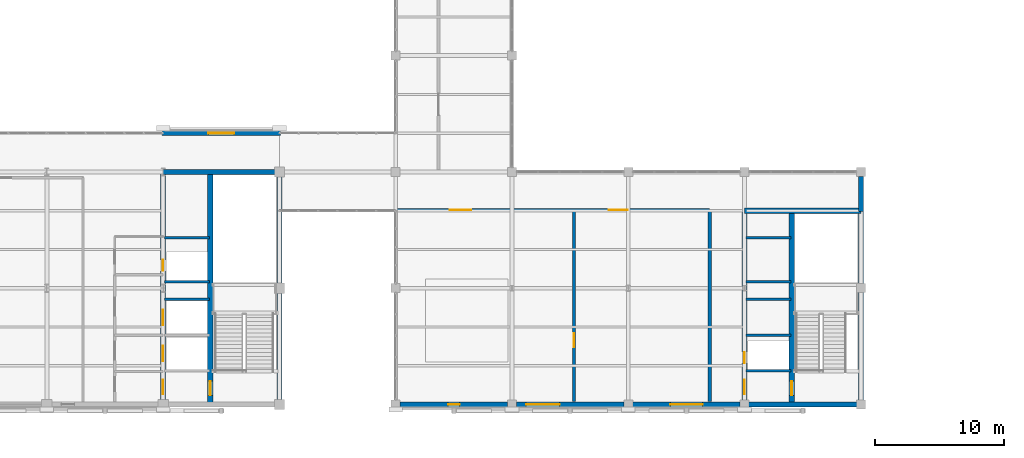
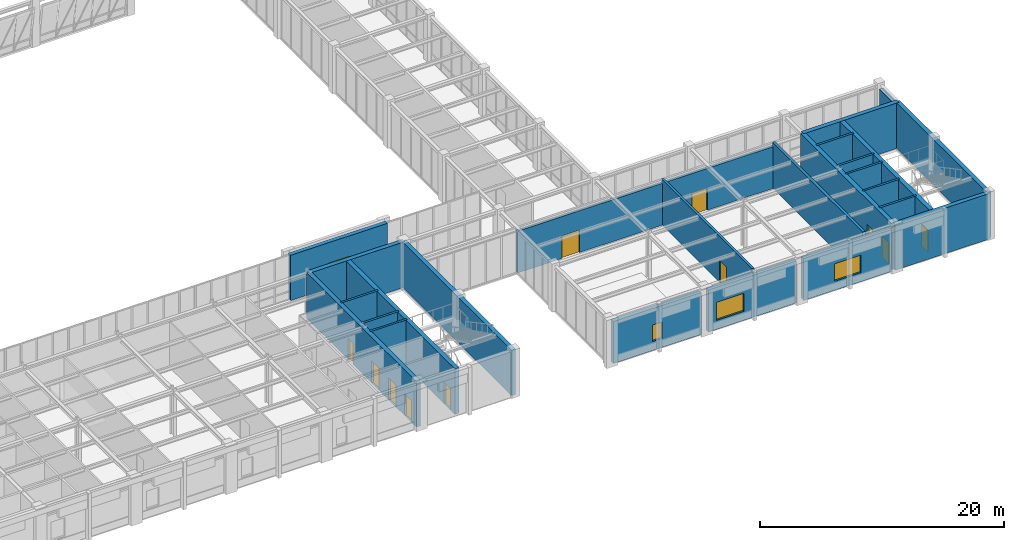
# One storey, part 82 of 92: 25 walls, 11 doors, 4 windows, 15 openings.
"""IFC4 building model written with IfcOpenShell, lengths in metres."""

from ifc_helpers import new_model, si_unit, direction, frame, frame_2d, origin, place, context, subcontext, project, spatial, rectangle, extrude, material, layer, layer_set, type_object, element, fill, save


model = new_model("IFC4")

# Units and contexts
model_context = context("Model", 3, precision=1e-05, world=origin(), true_north=direction((0.0, 1.0)))
body_context = subcontext(model_context, "Body", "Model", "MODEL_VIEW")
ifc_project = project(units=[si_unit("LENGTHUNIT", "METRE"), si_unit("AREAUNIT", "SQUARE_METRE"), si_unit("VOLUMEUNIT", "CUBIC_METRE"), si_unit("PLANEANGLEUNIT", "RADIAN"), si_unit("MASSUNIT", "GRAM", prefix="KILO")], contexts=[model_context])

# Site, building, storey
site_placement = place(None, origin())
site = spatial("IfcSite", under=ifc_project, at=site_placement, CompositionType="ELEMENT")
building_placement = place(site_placement, origin())
building = spatial("IfcBuilding", under=site, at=building_placement, Name="Lykobir Media Centre", CompositionType="ELEMENT")
storey_placement = place(building_placement, frame((0.0, 0.0, 5.39990234375)))
storey = spatial("IfcBuildingStorey", under=building, at=storey_placement, Name="L01", CompositionType="ELEMENT", Elevation=5.39990234375)

# Wall, opening, window
ifc_material_1 = material(Name="Honed Travertine Stone", Category="masonry")
ifc_layer_1 = layer(ifc_material_1, 0.389892578125, Name="Honed Travertine Stone")
ifc_layer_set_1 = layer_set([ifc_layer_1], Name="Honed Travertine Stone")
wall_type_1 = type_object("IfcWallType", Name="EW-TRAV-390", PredefinedType="STANDARD", material=ifc_layer_set_1)
wall_1_placement = place(storey_placement, frame((90.3349609375, 0.0, 0.0), z_axis=(0.0, 0.0, 1.0), x_axis=(1.0, 0.0, 0.0)))
wall_1 = element("IfcWall", 1, at=wall_1_placement, inside=storey, type_object=wall_type_1, Name="Exterior wall WALL-L01-0133", PredefinedType="STANDARD", context=body_context, shape_type="SweptSolid", body=[
    extrude(rectangle(XDim=8.330078125, YDim=0.389892578125, at=frame_2d((4.1650390625, 0.0))), origin(), (0.0, 0.0, 1.0), 4.195068359375),
])
opening_1_placement = place(wall_1_placement, frame((3.715087890625, 0.0, 0.89990234375)))
opening_1 = element("IfcOpeningElement", 2, at=opening_1_placement, cuts=wall_1, Name="Opening WN-0900x1650", PredefinedType="OPENING", context=body_context, shape_type="SweptSolid", body=[
    extrude(rectangle(XDim=0.89990234375, YDim=1.64990234375, at=frame_2d((0.449951171875, 0.824951171875))), frame((0.0, 0.204833984375, 0.0), z_axis=(0.0, -1.0, 0.0), x_axis=(1.0, 0.0, 0.0)), (0.0, 0.0, 1.0), 0.409912109375),
])
ifc_material_2 = material(Name="Low-E Laminated Triple Glazing", Category="glass")
window_type_1 = type_object("IfcWindowType", Name="WN-0900x1650", PartitioningType="SINGLE_PANEL", PredefinedType="WINDOW", material=ifc_material_2)
window_1_placement = place(opening_1_placement, origin())
window_1 = element("IfcWindow", 3, at=window_1_placement, inside=storey, type_object=window_type_1, Name="Window WIN-L01-0032", OverallHeight=1.64990234375, OverallWidth=0.89990234375, PartitioningType="SINGLE_PANEL", PredefinedType="WINDOW", context=body_context, shape_type="SweptSolid", body=[
    extrude(rectangle(XDim=0.89990234375, YDim=1.64990234375, at=frame_2d((0.449951171875, 0.824951171875))), frame((0.0, 0.030029296875, 0.0), z_axis=(0.0, -1.0, 0.0), x_axis=(1.0, 0.0, 0.0)), (0.0, 0.0, 1.0), 0.06005859375),
])
fill(opening_1, window_1)

wall_2_placement = place(storey_placement, frame((99.3349609375, 0.0, 0.0), z_axis=(0.0, 0.0, 1.0), x_axis=(1.0, 0.0, 0.0)))
wall_2 = element("IfcWall", 4, at=wall_2_placement, inside=storey, type_object=wall_type_1, Name="Exterior wall WALL-L01-0134", PredefinedType="STANDARD", context=body_context, shape_type="SweptSolid", body=[
    extrude(rectangle(XDim=8.330078125, YDim=0.389892578125, at=frame_2d((4.1650390625, 0.0))), origin(), (0.0, 0.0, 1.0), 4.195068359375),
])
opening_2_placement = place(wall_2_placement, frame((0.75, 0.0, 0.89990234375)))
opening_2 = element("IfcOpeningElement", 5, at=opening_2_placement, cuts=wall_2, Name="Opening WN-2600x1800", PredefinedType="OPENING", context=body_context, shape_type="SweptSolid", body=[
    extrude(rectangle(XDim=2.60009765625, YDim=1.800048828125, at=frame_2d((1.300048828125, 0.89990234375))), frame((0.0, 0.204833984375, 0.0), z_axis=(0.0, -1.0, 0.0), x_axis=(1.0, 0.0, 0.0)), (0.0, 0.0, 1.0), 0.409912109375),
])
window_type_2 = type_object("IfcWindowType", Name="WN-2600x1800", PartitioningType="SINGLE_PANEL", PredefinedType="WINDOW", material=ifc_material_2)
window_2_placement = place(opening_2_placement, origin())
window_2 = element("IfcWindow", 6, at=window_2_placement, inside=storey, type_object=window_type_2, Name="Window WIN-L01-0033", OverallHeight=1.800048828125, OverallWidth=2.60009765625, PartitioningType="SINGLE_PANEL", PredefinedType="WINDOW", context=body_context, shape_type="SweptSolid", body=[
    extrude(rectangle(XDim=2.60009765625, YDim=1.800048828125, at=frame_2d((1.300048828125, 0.89990234375))), frame((0.0, 0.030029296875, 0.0), z_axis=(0.0, -1.0, 0.0), x_axis=(1.0, 0.0, 0.0)), (0.0, 0.0, 1.0), 0.06005859375),
])
fill(opening_2, window_2)

wall_3_placement = place(storey_placement, frame((108.3349609375, 0.0, 0.0), z_axis=(0.0, 0.0, 1.0), x_axis=(1.0, 0.0, 0.0)))
wall_3 = element("IfcWall", 7, at=wall_3_placement, inside=storey, type_object=wall_type_1, Name="Exterior wall WALL-L01-0135", PredefinedType="STANDARD", context=body_context, shape_type="SweptSolid", body=[
    extrude(rectangle(XDim=8.330078125, YDim=0.389892578125, at=frame_2d((4.1650390625, 0.0))), origin(), (0.0, 0.0, 1.0), 4.195068359375),
])
opening_3_placement = place(wall_3_placement, frame((2.9150390625, 0.0, 0.89990234375)))
opening_3 = element("IfcOpeningElement", 8, at=opening_3_placement, cuts=wall_3, Name="Opening WN-2500x1750", PredefinedType="OPENING", context=body_context, shape_type="SweptSolid", body=[
    extrude(rectangle(XDim=2.5, YDim=1.75, at=frame_2d((1.25, 0.875))), frame((0.0, 0.204833984375, 0.0), z_axis=(0.0, -1.0, 0.0), x_axis=(1.0, 0.0, 0.0)), (0.0, 0.0, 1.0), 0.409912109375),
])
window_type_3 = type_object("IfcWindowType", Name="WN-2500x1750", PartitioningType="SINGLE_PANEL", PredefinedType="WINDOW", material=ifc_material_2)
window_3_placement = place(opening_3_placement, origin())
window_3 = element("IfcWindow", 9, at=window_3_placement, inside=storey, type_object=window_type_3, Name="Window WIN-L01-0034", OverallHeight=1.75, OverallWidth=2.5, PartitioningType="SINGLE_PANEL", PredefinedType="WINDOW", context=body_context, shape_type="SweptSolid", body=[
    extrude(rectangle(XDim=2.5, YDim=1.75, at=frame_2d((1.25, 0.875))), frame((0.0, 0.030029296875, 0.0), z_axis=(0.0, -1.0, 0.0), x_axis=(1.0, 0.0, 0.0)), (0.0, 0.0, 1.0), 0.06005859375),
])
fill(opening_3, window_3)

# Wall
wall_4_placement = place(storey_placement, frame((126.0, 14.925048828125, 0.0), z_axis=(0.0, 0.0, 1.0), x_axis=(0.0, 1.0, 0.0)))
element("IfcWall", 10, at=wall_4_placement, inside=storey, type_object=wall_type_1, Name="Exterior wall WALL-L01-0136", PredefinedType="STANDARD", context=body_context, shape_type="SweptSolid", body=[
    extrude(rectangle(XDim=2.739990234375, YDim=0.389892578125, at=frame_2d((1.3701171875, 0.0))), origin(), (0.0, 0.0, 1.0), 4.195068359375),
])

# Wall, opening, window
wall_5_placement = place(storey_placement, frame((81.074951171875, 21.0, 0.0), z_axis=(0.0, 0.0, 1.0), x_axis=(-1.0, 0.0, 0.0)))
wall_5 = element("IfcWall", 11, at=wall_5_placement, inside=storey, type_object=wall_type_1, Name="Exterior wall WALL-L01-0138", PredefinedType="STANDARD", context=body_context, shape_type="SweptSolid", body=[
    extrude(rectangle(XDim=9.14990234375, YDim=0.389892578125, at=frame_2d((4.574951171875, 0.0))), origin(), (0.0, 0.0, 1.0), 4.5400390625),
])
opening_4_placement = place(wall_5_placement, frame((3.574951171875, 0.0, 0.89990234375)))
opening_4 = element("IfcOpeningElement", 12, at=opening_4_placement, cuts=wall_5, Name="Opening WN-2000x1600", PredefinedType="OPENING", context=body_context, shape_type="SweptSolid", body=[
    extrude(rectangle(XDim=2.0, YDim=1.60009765625, at=frame_2d((1.0, 0.800048828125))), frame((0.0, 0.204833984375, 0.0), z_axis=(0.0, -1.0, 0.0), x_axis=(1.0, 0.0, 0.0)), (0.0, 0.0, 1.0), 0.409912109375),
])
window_type_4 = type_object("IfcWindowType", Name="WN-2000x1600", PartitioningType="SINGLE_PANEL", PredefinedType="WINDOW", material=ifc_material_2)
window_4_placement = place(opening_4_placement, origin())
window_4 = element("IfcWindow", 13, at=window_4_placement, inside=storey, type_object=window_type_4, Name="Window WIN-L01-0036", OverallHeight=1.60009765625, OverallWidth=2.0, PartitioningType="SINGLE_PANEL", PredefinedType="WINDOW", context=body_context, shape_type="SweptSolid", body=[
    extrude(rectangle(XDim=2.0, YDim=1.60009765625, at=frame_2d((1.0, 0.800048828125))), frame((0.0, 0.030029296875, 0.0), z_axis=(0.0, -1.0, 0.0), x_axis=(1.0, 0.0, 0.0)), (0.0, 0.0, 1.0), 0.06005859375),
])
fill(opening_4, window_4)

# Walls
ifc_material_3 = material(Name="Concrete C30/37", Category="concrete")
ifc_layer_2 = layer(ifc_material_3, 0.199951171875, Name="Concrete C30/37")
ifc_layer_set_2 = layer_set([ifc_layer_2], Name="Concrete C30/37")
wall_type_2 = type_object("IfcWallType", Name="IW-SHAFT-200", PredefinedType="PARTITIONING", material=ifc_layer_set_2)
for number, where, z_axis, x_axis, name in (
    (14, (72.10009765625, 8.14990234375, 0.0), (0.0, 0.0, 1.0), (1.0, 0.0, 0.0), "Wall IWALL-L01-0222"),
    (15, (72.10009765625, 9.5, 0.0), (0.0, 0.0, 1.0), (1.0, 0.0, 0.0), "Wall IWALL-L01-0223"),
    (16, (72.10009765625, 12.89990234375, 0.0), (0.0, 0.0, 1.0), (1.0, 0.0, 0.0), "Wall IWALL-L01-0224"),
    (17, (117.10009765625, 2.60009765625, 0.0), (0.0, 0.0, 1.0), (1.0, 0.0, 0.0), "Wall IWALL-L01-0599"),
    (18, (117.10009765625, 5.35009765625, 0.0), (0.0, 0.0, 1.0), (1.0, 0.0, 0.0), "Wall IWALL-L01-0600"),
    (19, (117.10009765625, 8.14990234375, 0.0), (0.0, 0.0, 1.0), (1.0, 0.0, 0.0), "Wall IWALL-L01-0601"),
    (20, (117.10009765625, 9.5, 0.0), (0.0, 0.0, 1.0), (1.0, 0.0, 0.0), "Wall IWALL-L01-0602"),
    (21, (117.10009765625, 12.89990234375, 0.0), (0.0, 0.0, 1.0), (1.0, 0.0, 0.0), "Wall IWALL-L01-0603"),
):
    element("IfcWall", number, at=place(storey_placement, frame(where, z_axis=z_axis, x_axis=x_axis)), inside=storey, type_object=wall_type_2, Name=name, PredefinedType="PARTITIONING", context=body_context, shape_type="SweptSolid", body=[
        extrude(rectangle(XDim=3.5, YDim=0.199951171875, at=frame_2d((1.75, 0.0))), origin(), (0.0, 0.0, 1.0), 4.56005859375),
    ])

# Wall, opening, door
ifc_material_4 = material(Name="Acoustic Gypsum Board", Category="gypsum")
ifc_layer_3 = layer(ifc_material_4, 0.219970703125, Name="Acoustic Gypsum Board")
ifc_layer_set_3 = layer_set([ifc_layer_3], Name="Acoustic Gypsum Board")
wall_type_3 = type_object("IfcWallType", Name="IW-STU-220", PredefinedType="PARTITIONING", material=ifc_layer_set_3)
wall_6_placement = place(storey_placement, frame((103.800048828125, 0.219970703125, 0.0), z_axis=(0.0, 0.0, 1.0), x_axis=(0.0, 1.0, 0.0)))
wall_6 = element("IfcWall", 22, at=wall_6_placement, inside=storey, type_object=wall_type_3, Name="Wall IWALL-L01-0693", PredefinedType="PARTITIONING", context=body_context, shape_type="SweptSolid", body=[
    extrude(rectangle(XDim=14.830078125, YDim=0.219970703125, at=frame_2d((7.4150390625, 0.0))), origin(), (0.0, 0.0, 1.0), 4.56005859375),
])
opening_5_placement = place(wall_6_placement, frame((4.199951171875, 0.0, 0.0)))
opening_5 = element("IfcOpeningElement", 23, at=opening_5_placement, cuts=wall_6, Name="Opening D-L01-RADS", PredefinedType="OPENING", context=body_context, shape_type="SweptSolid", body=[
    extrude(rectangle(XDim=1.10009765625, YDim=2.159912109375, at=frame_2d((0.550048828125, 1.080078125))), frame((0.0, 0.119873046875, 0.0), z_axis=(0.0, -1.0, 0.0), x_axis=(1.0, 0.0, 0.0)), (0.0, 0.0, 1.0), 0.239990234375),
])
ifc_material_5 = material(Name="Acoustic Timber Panelling", Category="wood")
door_type_1 = type_object("IfcDoorType", Name="FD-1100x2160", OperationType="NOTDEFINED", PredefinedType="DOOR", material=ifc_material_5)
door_1_placement = place(opening_5_placement, origin())
door_1 = element("IfcDoor", 24, at=door_1_placement, inside=storey, type_object=door_type_1, Name="Door D-L01-RADS", OperationType="SINGLE_SWING_LEFT", OverallHeight=2.159912109375, OverallWidth=1.10009765625, PredefinedType="DOOR", context=body_context, shape_type="SweptSolid", body=[
    extrude(rectangle(XDim=1.10009765625, YDim=2.159912109375, at=frame_2d((0.550048828125, 1.080078125))), frame((0.0, 0.02490234375, 0.0), z_axis=(0.0, -1.0, 0.0), x_axis=(1.0, 0.0, 0.0)), (0.0, 0.0, 1.0), 0.050048828125),
])
fill(opening_5, door_1)

# Wall, openings, doors
ifc_layer_4 = layer(ifc_material_4, 0.260009765625, Name="Acoustic Gypsum Board")
ifc_layer_set_4 = layer_set([ifc_layer_4], Name="Acoustic Gypsum Board")
wall_type_4 = type_object("IfcWallType", Name="IW-STU-260", PredefinedType="PARTITIONING", material=ifc_layer_set_4)
wall_7_placement = place(storey_placement, frame((90.0, 15.050048828125, 0.0), z_axis=(0.0, 0.0, 1.0), x_axis=(1.0, 0.0, 0.0)))
wall_7 = element("IfcWall", 25, at=wall_7_placement, inside=storey, type_object=wall_type_4, Name="Wall IWALL-L01-0690", PredefinedType="PARTITIONING", context=body_context, shape_type="SweptSolid", body=[
    extrude(rectangle(XDim=24.300048828125, YDim=0.260009765625, at=frame_2d((12.14990234375, 0.0))), origin(), (0.0, 0.0, 1.0), 4.18505859375),
])
opening_6_placement = place(wall_7_placement, frame((4.199951171875, 0.0, 0.0)))
opening_6 = element("IfcOpeningElement", 26, at=opening_6_placement, cuts=wall_7, Name="Opening D-L01-ES1", PredefinedType="OPENING", context=body_context, shape_type="SweptSolid", body=[
    extrude(rectangle(XDim=1.64990234375, YDim=2.25, at=frame_2d((0.824951171875, 1.125))), frame((0.0, 0.139892578125, 0.0), z_axis=(0.0, -1.0, 0.0), x_axis=(1.0, 0.0, 0.0)), (0.0, 0.0, 1.0), 0.280029296875),
])
opening_7_placement = place(wall_7_placement, frame((16.5, 0.0, 0.0)))
opening_7 = element("IfcOpeningElement", 27, at=opening_7_placement, cuts=wall_7, Name="Opening D-L01-ES2", PredefinedType="OPENING", context=body_context, shape_type="SweptSolid", body=[
    extrude(rectangle(XDim=1.449951171875, YDim=2.219970703125, at=frame_2d((0.72509765625, 1.10986328125))), frame((0.0, 0.139892578125, 0.0), z_axis=(0.0, -1.0, 0.0), x_axis=(1.0, 0.0, 0.0)), (0.0, 0.0, 1.0), 0.280029296875),
])
door_type_2 = type_object("IfcDoorType", Name="FD-1450x2220", OperationType="NOTDEFINED", PredefinedType="DOOR", material=ifc_material_5)
door_2_placement = place(opening_7_placement, origin())
door_2 = element("IfcDoor", 28, at=door_2_placement, inside=storey, type_object=door_type_2, Name="Door D-L01-ES2", OperationType="DOUBLE_DOOR_SINGLE_SWING", OverallHeight=2.219970703125, OverallWidth=1.449951171875, PredefinedType="DOOR", context=body_context, shape_type="SweptSolid", body=[
    extrude(rectangle(XDim=1.449951171875, YDim=2.219970703125, at=frame_2d((0.72509765625, 1.10986328125))), frame((0.0, 0.02490234375, 0.0), z_axis=(0.0, -1.0, 0.0), x_axis=(1.0, 0.0, 0.0)), (0.0, 0.0, 1.0), 0.050048828125),
])
fill(opening_7, door_2)
door_type_3 = type_object("IfcDoorType", Name="FD-1650x2250", OperationType="NOTDEFINED", PredefinedType="DOOR", material=ifc_material_5)
door_3_placement = place(opening_6_placement, origin())
door_3 = element("IfcDoor", 29, at=door_3_placement, inside=storey, type_object=door_type_3, Name="Door D-L01-ES1", OperationType="DOUBLE_DOOR_SINGLE_SWING", OverallHeight=2.25, OverallWidth=1.64990234375, PredefinedType="DOOR", context=body_context, shape_type="SweptSolid", body=[
    extrude(rectangle(XDim=1.64990234375, YDim=2.25, at=frame_2d((0.824951171875, 1.125))), frame((0.0, 0.02490234375, 0.0), z_axis=(0.0, -1.0, 0.0), x_axis=(1.0, 0.0, 0.0)), (0.0, 0.0, 1.0), 0.050048828125),
])
fill(opening_6, door_3)

# Wall
wall_8_placement = place(storey_placement, frame((114.300048828125, 0.219970703125, 0.0), z_axis=(0.0, 0.0, 1.0), x_axis=(0.0, 1.0, 0.0)))
element("IfcWall", 30, at=wall_8_placement, inside=storey, type_object=wall_type_4, Name="Wall IWALL-L01-0691", PredefinedType="PARTITIONING", context=body_context, shape_type="SweptSolid", body=[
    extrude(rectangle(XDim=14.830078125, YDim=0.260009765625, at=frame_2d((7.4150390625, 0.0))), origin(), (0.0, 0.0, 1.0), 4.56005859375),
])

# Wall, openings, doors
ifc_material_6 = material(Name="Concrete C40/50", Category="concrete")
ifc_layer_5 = layer(ifc_material_6, 0.39990234375, Name="Concrete C40/50")
ifc_layer_set_5 = layer_set([ifc_layer_5], Name="Concrete C40/50")
wall_type_5 = type_object("IfcWallType", Name="SW-CORE-400", PredefinedType="SHEAR", material=ifc_layer_set_5)
wall_9_placement = place(storey_placement, frame((72.0, 18.0, 0.0), z_axis=(0.0, 0.0, 1.0), x_axis=(0.0, -1.0, 0.0)))
wall_9 = element("IfcWall", 31, at=wall_9_placement, inside=storey, type_object=wall_type_5, Name="Wall IWALL-L01-0218", PredefinedType="SHEAR", context=body_context, shape_type="SweptSolid", body=[
    extrude(rectangle(XDim=18.0, YDim=0.39990234375, at=frame_2d((9.0, 0.0))), origin(), (0.0, 0.0, 1.0), 4.56005859375),
])
opening_8_placement = place(wall_9_placement, frame((16.10009765625, 0.0, 0.0)))
opening_8 = element("IfcOpeningElement", 32, at=opening_8_placement, cuts=wall_9, Name="Opening D-L01-C2VB", PredefinedType="OPENING", context=body_context, shape_type="SweptSolid", body=[
    extrude(rectangle(XDim=1.10009765625, YDim=2.159912109375, at=frame_2d((0.550048828125, 1.080078125))), frame((0.0, 0.2099609375, 0.0), z_axis=(0.0, -1.0, 0.0), x_axis=(1.0, 0.0, 0.0)), (0.0, 0.0, 1.0), 0.419921875),
])
opening_9_placement = place(wall_9_placement, frame((13.449951171875, 0.0, 0.0)))
opening_9 = element("IfcOpeningElement", 33, at=opening_9_placement, cuts=wall_9, Name="Opening LD-L01-PL-2", PredefinedType="OPENING", context=body_context, shape_type="SweptSolid", body=[
    extrude(rectangle(XDim=1.199951171875, YDim=2.199951171875, at=frame_2d((0.60009765625, 1.10009765625))), frame((0.0, 0.2099609375, 0.0), z_axis=(0.0, -1.0, 0.0), x_axis=(1.0, 0.0, 0.0)), (0.0, 0.0, 1.0), 0.419921875),
])
opening_10_placement = place(wall_9_placement, frame((10.64990234375, 0.0, 0.0)))
opening_10 = element("IfcOpeningElement", 34, at=opening_10_placement, cuts=wall_9, Name="Opening LD-L01-FL-2", PredefinedType="OPENING", context=body_context, shape_type="SweptSolid", body=[
    extrude(rectangle(XDim=1.199951171875, YDim=2.199951171875, at=frame_2d((0.60009765625, 1.10009765625))), frame((0.0, 0.2099609375, 0.0), z_axis=(0.0, -1.0, 0.0), x_axis=(1.0, 0.0, 0.0)), (0.0, 0.0, 1.0), 0.419921875),
])
opening_11_placement = place(wall_9_placement, frame((6.800048828125, 0.0, 0.0)))
opening_11 = element("IfcOpeningElement", 35, at=opening_11_placement, cuts=wall_9, Name="Opening D-L01-C2RS", PredefinedType="OPENING", context=body_context, shape_type="SweptSolid", body=[
    extrude(rectangle(XDim=0.85009765625, YDim=2.10009765625, at=frame_2d((0.425048828125, 1.050048828125))), frame((0.0, 0.2099609375, 0.0), z_axis=(0.0, -1.0, 0.0), x_axis=(1.0, 0.0, 0.0)), (0.0, 0.0, 1.0), 0.419921875),
])
ifc_material_7 = material(Name="Anodized Aluminium AW-6060", Category="aluminium")
door_type_4 = type_object("IfcDoorType", Name="FD-0850x2100", OperationType="NOTDEFINED", PredefinedType="DOOR", material=ifc_material_7)
door_4_placement = place(opening_11_placement, origin())
door_4 = element("IfcDoor", 36, at=door_4_placement, inside=storey, type_object=door_type_4, Name="Riser access door C2 L01", OperationType="SINGLE_SWING_RIGHT", OverallHeight=2.10009765625, OverallWidth=0.85009765625, PredefinedType="DOOR", context=body_context, shape_type="SweptSolid", body=[
    extrude(rectangle(XDim=0.85009765625, YDim=2.10009765625, at=frame_2d((0.425048828125, 1.050048828125))), frame((0.0, 0.02490234375, 0.0), z_axis=(0.0, -1.0, 0.0), x_axis=(1.0, 0.0, 0.0)), (0.0, 0.0, 1.0), 0.050048828125),
])
fill(opening_11, door_4)
door_5_placement = place(opening_8_placement, origin())
door_5 = element("IfcDoor", 37, at=door_5_placement, inside=storey, type_object=door_type_1, Name="Door D-L01-C2VB", OperationType="SINGLE_SWING_LEFT", OverallHeight=2.159912109375, OverallWidth=1.10009765625, PredefinedType="DOOR", context=body_context, shape_type="SweptSolid", body=[
    extrude(rectangle(XDim=1.10009765625, YDim=2.159912109375, at=frame_2d((0.550048828125, 1.080078125))), frame((0.0, 0.02490234375, 0.0), z_axis=(0.0, -1.0, 0.0), x_axis=(1.0, 0.0, 0.0)), (0.0, 0.0, 1.0), 0.050048828125),
])
fill(opening_8, door_5)
door_type_5 = type_object("IfcDoorType", Name="LD-1200x2200", OperationType="NOTDEFINED", PredefinedType="DOOR", material=ifc_material_7)
door_6_placement = place(opening_9_placement, origin())
door_6 = element("IfcDoor", 38, at=door_6_placement, inside=storey, type_object=door_type_5, Name="Lift landing door PL-2 L01", OperationType="SLIDING_TO_LEFT", OverallHeight=2.199951171875, OverallWidth=1.199951171875, PredefinedType="DOOR", context=body_context, shape_type="SweptSolid", body=[
    extrude(rectangle(XDim=1.199951171875, YDim=2.199951171875, at=frame_2d((0.60009765625, 1.10009765625))), frame((0.0, 0.02490234375, 0.0), z_axis=(0.0, -1.0, 0.0), x_axis=(1.0, 0.0, 0.0)), (0.0, 0.0, 1.0), 0.050048828125),
])
fill(opening_9, door_6)
door_7_placement = place(opening_10_placement, origin())
door_7 = element("IfcDoor", 39, at=door_7_placement, inside=storey, type_object=door_type_5, Name="Firefighting lift landing door FL-2 L01", OperationType="SLIDING_TO_LEFT", OverallHeight=2.199951171875, OverallWidth=1.199951171875, PredefinedType="DOOR", context=body_context, shape_type="SweptSolid", body=[
    extrude(rectangle(XDim=1.199951171875, YDim=2.199951171875, at=frame_2d((0.60009765625, 1.10009765625))), frame((0.0, 0.02490234375, 0.0), z_axis=(0.0, -1.0, 0.0), x_axis=(1.0, 0.0, 0.0)), (0.0, 0.0, 1.0), 0.050048828125),
])
fill(opening_10, door_7)

# Wall, opening, door
wall_10_placement = place(storey_placement, frame((75.64990234375, 0.0, 0.0), z_axis=(0.0, 0.0, 1.0), x_axis=(0.0, 1.0, 0.0)))
wall_10 = element("IfcWall", 40, at=wall_10_placement, inside=storey, type_object=wall_type_5, Name="Wall IWALL-L01-0219", PredefinedType="SHEAR", context=body_context, shape_type="SweptSolid", body=[
    extrude(rectangle(XDim=18.0, YDim=0.39990234375, at=frame_2d((9.0, 0.0))), origin(), (0.0, 0.0, 1.0), 4.56005859375),
])
opening_12_placement = place(wall_10_placement, frame((0.699951171875, 0.0, 0.0)))
opening_12 = element("IfcOpeningElement", 41, at=opening_12_placement, cuts=wall_10, Name="Opening D-L01-C2ST", PredefinedType="OPENING", context=body_context, shape_type="SweptSolid", body=[
    extrude(rectangle(XDim=1.10009765625, YDim=2.159912109375, at=frame_2d((0.550048828125, 1.080078125))), frame((0.0, 0.2099609375, 0.0), z_axis=(0.0, -1.0, 0.0), x_axis=(1.0, 0.0, 0.0)), (0.0, 0.0, 1.0), 0.419921875),
])
door_8_placement = place(opening_12_placement, origin())
door_8 = element("IfcDoor", 42, at=door_8_placement, inside=storey, type_object=door_type_1, Name="L01 ST-2 stairwell fire door", OperationType="SINGLE_SWING_RIGHT", OverallHeight=2.159912109375, OverallWidth=1.10009765625, PredefinedType="DOOR", context=body_context, shape_type="SweptSolid", body=[
    extrude(rectangle(XDim=1.10009765625, YDim=2.159912109375, at=frame_2d((0.550048828125, 1.080078125))), frame((0.0, 0.02490234375, 0.0), z_axis=(0.0, -1.0, 0.0), x_axis=(1.0, 0.0, 0.0)), (0.0, 0.0, 1.0), 0.050048828125),
])
fill(opening_12, door_8)

# Wall, openings, doors
wall_11_placement = place(storey_placement, frame((117.0, 15.0, 0.0), z_axis=(0.0, 0.0, 1.0), x_axis=(0.0, -1.0, 0.0)))
wall_11 = element("IfcWall", 43, at=wall_11_placement, inside=storey, type_object=wall_type_5, Name="Wall IWALL-L01-0597", PredefinedType="SHEAR", context=body_context, shape_type="SweptSolid", body=[
    extrude(rectangle(XDim=15.0, YDim=0.39990234375, at=frame_2d((7.5, 0.0))), origin(), (0.0, 0.0, 1.0), 4.56005859375),
])
opening_13_placement = place(wall_11_placement, frame((13.10009765625, 0.0, 0.0)))
opening_13 = element("IfcOpeningElement", 44, at=opening_13_placement, cuts=wall_11, Name="Opening D-L01-C5VB", PredefinedType="OPENING", context=body_context, shape_type="SweptSolid", body=[
    extrude(rectangle(XDim=1.10009765625, YDim=2.159912109375, at=frame_2d((0.550048828125, 1.080078125))), frame((0.0, 0.2099609375, 0.0), z_axis=(0.0, -1.0, 0.0), x_axis=(1.0, 0.0, 0.0)), (0.0, 0.0, 1.0), 0.419921875),
])
opening_14_placement = place(wall_11_placement, frame((10.949951171875, 0.0, 0.0)))
opening_14 = element("IfcOpeningElement", 45, at=opening_14_placement, cuts=wall_11, Name="Opening D-L01-C5RS", PredefinedType="OPENING", context=body_context, shape_type="SweptSolid", body=[
    extrude(rectangle(XDim=0.85009765625, YDim=2.10009765625, at=frame_2d((0.425048828125, 1.050048828125))), frame((0.0, 0.2099609375, 0.0), z_axis=(0.0, -1.0, 0.0), x_axis=(1.0, 0.0, 0.0)), (0.0, 0.0, 1.0), 0.419921875),
])
door_9_placement = place(opening_14_placement, origin())
door_9 = element("IfcDoor", 46, at=door_9_placement, inside=storey, type_object=door_type_4, Name="Riser access door C5 L01", OperationType="SINGLE_SWING_LEFT", OverallHeight=2.10009765625, OverallWidth=0.85009765625, PredefinedType="DOOR", context=body_context, shape_type="SweptSolid", body=[
    extrude(rectangle(XDim=0.85009765625, YDim=2.10009765625, at=frame_2d((0.425048828125, 1.050048828125))), frame((0.0, 0.02490234375, 0.0), z_axis=(0.0, -1.0, 0.0), x_axis=(1.0, 0.0, 0.0)), (0.0, 0.0, 1.0), 0.050048828125),
])
fill(opening_14, door_9)
door_10_placement = place(opening_13_placement, origin())
door_10 = element("IfcDoor", 47, at=door_10_placement, inside=storey, type_object=door_type_1, Name="Door D-L01-C5VB", OperationType="SINGLE_SWING_RIGHT", OverallHeight=2.159912109375, OverallWidth=1.10009765625, PredefinedType="DOOR", context=body_context, shape_type="SweptSolid", body=[
    extrude(rectangle(XDim=1.10009765625, YDim=2.159912109375, at=frame_2d((0.550048828125, 1.080078125))), frame((0.0, 0.02490234375, 0.0), z_axis=(0.0, -1.0, 0.0), x_axis=(1.0, 0.0, 0.0)), (0.0, 0.0, 1.0), 0.050048828125),
])
fill(opening_13, door_10)

# Wall, opening, door
wall_12_placement = place(storey_placement, frame((120.64990234375, 0.0, 0.0), z_axis=(0.0, 0.0, 1.0), x_axis=(0.0, 1.0, 0.0)))
wall_12 = element("IfcWall", 48, at=wall_12_placement, inside=storey, type_object=wall_type_5, Name="Wall IWALL-L01-0598", PredefinedType="SHEAR", context=body_context, shape_type="SweptSolid", body=[
    extrude(rectangle(XDim=15.0, YDim=0.39990234375, at=frame_2d((7.5, 0.0))), origin(), (0.0, 0.0, 1.0), 4.56005859375),
])
opening_15_placement = place(wall_12_placement, frame((0.699951171875, 0.0, 0.0)))
opening_15 = element("IfcOpeningElement", 49, at=opening_15_placement, cuts=wall_12, Name="Opening D-L01-C5ST", PredefinedType="OPENING", context=body_context, shape_type="SweptSolid", body=[
    extrude(rectangle(XDim=1.10009765625, YDim=2.159912109375, at=frame_2d((0.550048828125, 1.080078125))), frame((0.0, 0.2099609375, 0.0), z_axis=(0.0, -1.0, 0.0), x_axis=(1.0, 0.0, 0.0)), (0.0, 0.0, 1.0), 0.419921875),
])
door_11_placement = place(opening_15_placement, origin())
door_11 = element("IfcDoor", 50, at=door_11_placement, inside=storey, type_object=door_type_1, Name="L01 ST-5 stairwell fire door", OperationType="SINGLE_SWING_LEFT", OverallHeight=2.159912109375, OverallWidth=1.10009765625, PredefinedType="DOOR", context=body_context, shape_type="SweptSolid", body=[
    extrude(rectangle(XDim=1.10009765625, YDim=2.159912109375, at=frame_2d((0.550048828125, 1.080078125))), frame((0.0, 0.02490234375, 0.0), z_axis=(0.0, -1.0, 0.0), x_axis=(1.0, 0.0, 0.0)), (0.0, 0.0, 1.0), 0.050048828125),
])
fill(opening_15, door_11)

# Walls
ifc_layer_6 = layer(ifc_material_6, 0.39990234375, Name="Concrete C40/50")
ifc_layer_set_6 = layer_set([ifc_layer_6], Name="Concrete C40/50")
wall_type_6 = type_object("IfcWallType", Name="SW-CORE-400-E", PredefinedType="SHEAR", material=ifc_layer_set_6)
wall_13_placement = place(storey_placement, frame((81.0, 0.0, 0.0), z_axis=(0.0, 0.0, 1.0), x_axis=(0.0, 1.0, 0.0)))
element("IfcWall", 51, at=wall_13_placement, inside=storey, type_object=wall_type_6, Name="Wall IWALL-L01-0216", PredefinedType="SHEAR", context=body_context, shape_type="SweptSolid", body=[
    extrude(rectangle(XDim=18.0, YDim=0.39990234375, at=frame_2d((9.0, 0.0))), origin(), (0.0, 0.0, 1.0), 4.56005859375),
])
for number, where, z_axis, x_axis, name in (
    (52, (81.0, 18.0, 0.0), (0.0, 0.0, 1.0), (-1.0, 0.0, 0.0), "Wall IWALL-L01-0217"),
    (53, (117.0, 0.0, 0.0), (0.0, 0.0, 1.0), (1.0, 0.0, 0.0), "Wall IWALL-L01-0594"),
):
    element("IfcWall", number, at=place(storey_placement, frame(where, z_axis=z_axis, x_axis=x_axis)), inside=storey, type_object=wall_type_6, Name=name, PredefinedType="SHEAR", context=body_context, shape_type="SweptSolid", body=[
        extrude(rectangle(XDim=9.0, YDim=0.39990234375, at=frame_2d((4.5, 0.0))), origin(), (0.0, 0.0, 1.0), 4.56005859375),
    ])
wall_14_placement = place(storey_placement, frame((126.0, 0.0, 0.0), z_axis=(0.0, 0.0, 1.0), x_axis=(0.0, 1.0, 0.0)))
element("IfcWall", 54, at=wall_14_placement, inside=storey, type_object=wall_type_6, Name="Wall IWALL-L01-0595", PredefinedType="SHEAR", context=body_context, shape_type="SweptSolid", body=[
    extrude(rectangle(XDim=15.0, YDim=0.39990234375, at=frame_2d((7.5, 0.0))), origin(), (0.0, 0.0, 1.0), 4.56005859375),
])
wall_15_placement = place(storey_placement, frame((126.0, 15.0, 0.0), z_axis=(0.0, 0.0, 1.0), x_axis=(-1.0, 0.0, 0.0)))
element("IfcWall", 55, at=wall_15_placement, inside=storey, type_object=wall_type_6, Name="Wall IWALL-L01-0596", PredefinedType="SHEAR", context=body_context, shape_type="SweptSolid", body=[
    extrude(rectangle(XDim=9.0, YDim=0.39990234375, at=frame_2d((4.5, 0.0))), origin(), (0.0, 0.0, 1.0), 4.56005859375),
])

save(model, "model.ifc")
